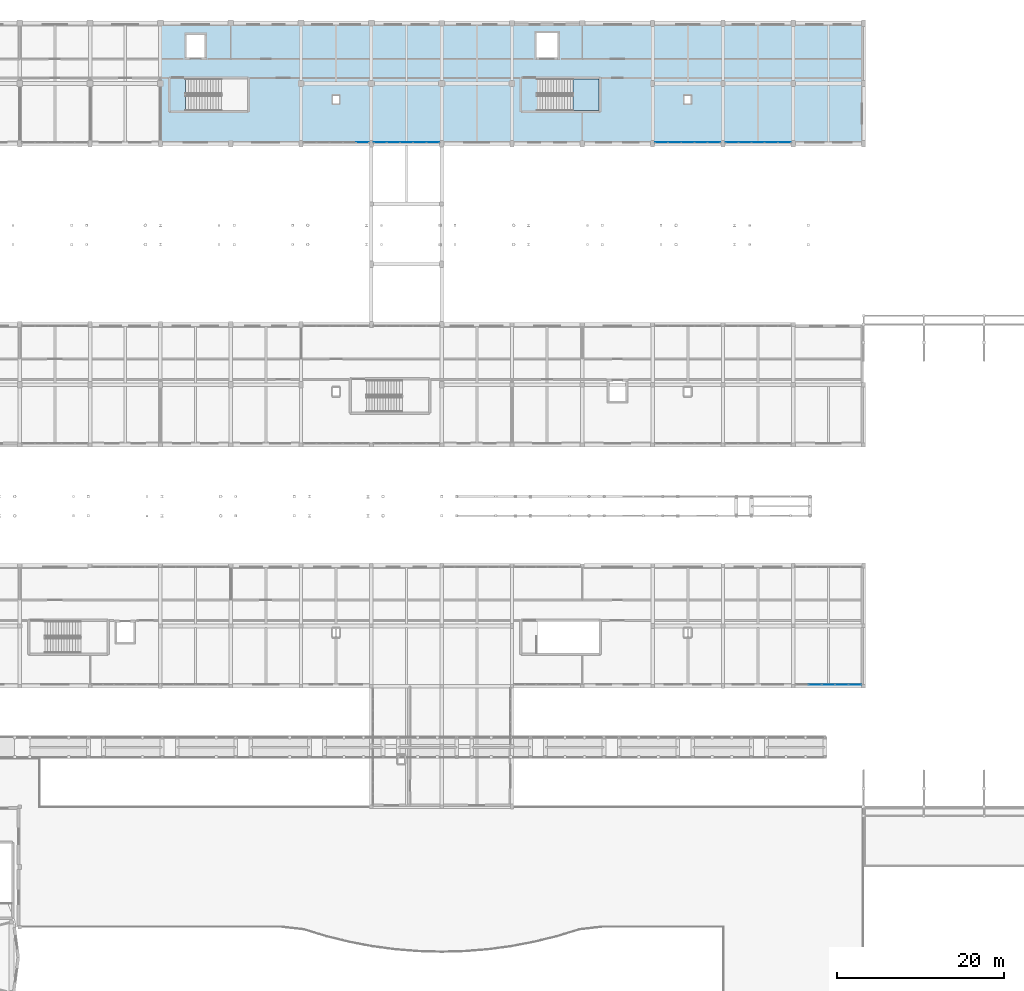
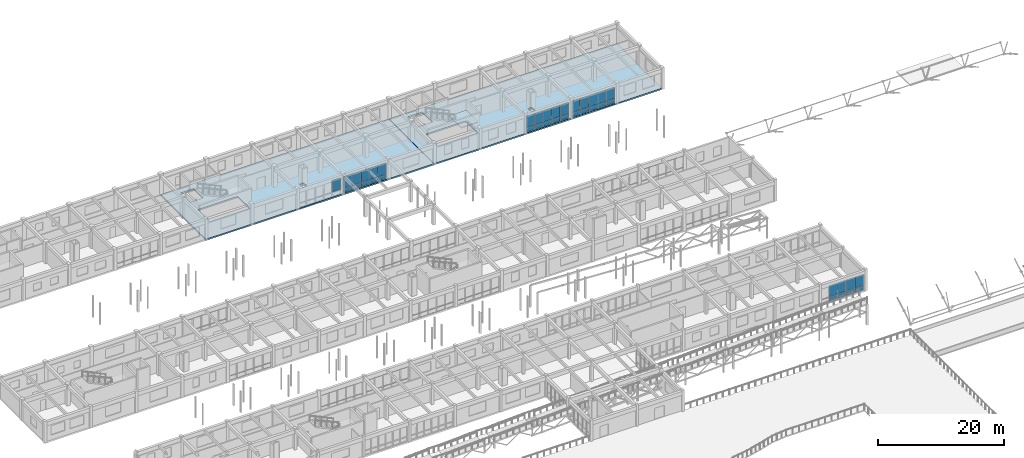
# One storey, part 62 of 90: 39 plates, 3 slabs, 6 elements without a shape of their own.
"""IFC4 building model written with IfcOpenShell, lengths in metres."""

from ifc_helpers import new_model, si_unit, direction, frame, origin, origin_2d, place, context, subcontext, project, spatial, polyline, rectangle, outline, extrude, material, layer, layer_set, type_object, element, aggregate, save


model = new_model("IFC4")

# Units and contexts
model_context = context("Model", 3, precision=1e-05, world=origin(), true_north=direction((0.0, 1.0)))
body_context = subcontext(model_context, "Body", "Model", "MODEL_VIEW")
ifc_project = project(units=[si_unit("LENGTHUNIT", "METRE"), si_unit("AREAUNIT", "SQUARE_METRE"), si_unit("VOLUMEUNIT", "CUBIC_METRE"), si_unit("PLANEANGLEUNIT", "RADIAN"), si_unit("MASSUNIT", "GRAM", prefix="KILO")], contexts=[model_context])

# Site, building, storey
site_placement = place(None, origin())
site = spatial("IfcSite", under=ifc_project, at=site_placement, CompositionType="ELEMENT")
building_placement = place(site_placement, origin())
building = spatial("IfcBuilding", under=site, at=building_placement, Name="Malvenik Polytechnic", CompositionType="ELEMENT")
storey_placement = place(building_placement, frame((0.0, 0.0, 9.300048828125)))
storey = spatial("IfcBuildingStorey", under=building, at=storey_placement, Name="L02", CompositionType="ELEMENT", Elevation=9.300048828125)

# Curtain wall, plates
ifc_material_1 = material(Name="Anodised aluminium 6060-T6", Category="aluminium")
curtain_wall_type = type_object("IfcCurtainWallType", Name="ARC-CW-CW-03", PredefinedType="NOTDEFINED", material=ifc_material_1)
curtain_wall_1_placement = place(storey_placement, origin())
curtain_wall_1 = element("IfcCurtainWall", 1, at=curtain_wall_1_placement, inside=storey, type_object=curtain_wall_type, Name="Unitised Curtain Wall CW-03 L02 #144", PredefinedType="NOTDEFINED")
ifc_material_2 = material(Name="Triple solar-control glazing 8-14-6-14-8", Category="glass")
ifc_layer_1 = layer(ifc_material_2, 0.035888671875)
ifc_layer_set_1 = layer_set([ifc_layer_1], Name="Triple solar-control glazing 8-14-6-14-8")
plate_type_1 = type_object("IfcPlateType", Name="ARC-CWP-CP-GLZ36", PredefinedType="CURTAIN_PANEL", material=ifc_layer_set_1)
plate_1_placement = place(storey_placement, frame((133.36669921875, 50.570068359375, 0.929931640625), z_axis=(0.0, 0.0, 1.0), x_axis=(-1.0, 0.0, 0.0)))
plate_1 = element("IfcPlate", 2, at=plate_1_placement, type_object=plate_type_1, Name="CW-03 panel 1.2", PredefinedType="CURTAIN_PANEL", context=body_context, shape_type="SweptSolid", body=[
    extrude(rectangle(XDim=1.500732421875, YDim=0.028076171875, at=origin_2d()), origin(), (0.0, 0.0, 1.0), 2.18994140625),
])
plate_2_placement = place(storey_placement, frame((131.790771484375, 50.570068359375, 0.929931640625), z_axis=(0.0, 0.0, 1.0), x_axis=(-1.0, 0.0, 0.0)))
plate_2 = element("IfcPlate", 3, at=plate_2_placement, type_object=plate_type_1, Name="CW-03 panel 2.2", PredefinedType="CURTAIN_PANEL", context=body_context, shape_type="SweptSolid", body=[
    extrude(rectangle(XDim=1.53076171875, YDim=0.028076171875, at=origin_2d()), origin(), (0.0, 0.0, 1.0), 2.18994140625),
])
plate_3_placement = place(storey_placement, frame((130.199951171875, 50.570068359375, 0.929931640625), z_axis=(0.0, 0.0, 1.0), x_axis=(-1.0, 0.0, 0.0)))
plate_3 = element("IfcPlate", 4, at=plate_3_placement, type_object=plate_type_1, Name="CW-03 panel 3.2", PredefinedType="CURTAIN_PANEL", context=body_context, shape_type="SweptSolid", body=[
    extrude(rectangle(XDim=1.53076171875, YDim=0.028076171875, at=origin_2d()), origin(), (0.0, 0.0, 1.0), 2.18994140625),
])
plate_4_placement = place(storey_placement, frame((128.609130859375, 50.570068359375, 0.929931640625), z_axis=(0.0, 0.0, 1.0), x_axis=(-1.0, 0.0, 0.0)))
plate_4 = element("IfcPlate", 5, at=plate_4_placement, type_object=plate_type_1, Name="CW-03 panel 4.2", PredefinedType="CURTAIN_PANEL", context=body_context, shape_type="SweptSolid", body=[
    extrude(rectangle(XDim=1.53076171875, YDim=0.028076171875, at=origin_2d()), origin(), (0.0, 0.0, 1.0), 2.18994140625),
])

curtain_wall_2_placement = place(storey_placement, origin())
curtain_wall_2 = element("IfcCurtainWall", 6, at=curtain_wall_2_placement, inside=storey, type_object=curtain_wall_type, Name="Unitised Curtain Wall CW-03 L02 #157", PredefinedType="NOTDEFINED")
plate_5_placement = place(storey_placement, frame((124.946533203125, 115.3701171875, 0.929931640625), z_axis=(0.0, 0.0, 1.0), x_axis=(-1.0, 0.0, 0.0)))
plate_5 = element("IfcPlate", 7, at=plate_5_placement, type_object=plate_type_1, Name="CW-03 panel 1.2", PredefinedType="CURTAIN_PANEL", context=body_context, shape_type="SweptSolid", body=[
    extrude(rectangle(XDim=1.49072265625, YDim=0.028076171875, at=origin_2d()), origin(), (0.0, 0.0, 1.0), 2.18994140625),
])
plate_6_placement = place(storey_placement, frame((123.380859375, 115.3701171875, 0.929931640625), z_axis=(0.0, 0.0, 1.0), x_axis=(-1.0, 0.0, 0.0)))
plate_6 = element("IfcPlate", 8, at=plate_6_placement, type_object=plate_type_1, Name="CW-03 panel 2.2", PredefinedType="CURTAIN_PANEL", context=body_context, shape_type="SweptSolid", body=[
    extrude(rectangle(XDim=1.520751953125, YDim=0.028076171875, at=origin_2d()), origin(), (0.0, 0.0, 1.0), 2.18994140625),
])
plate_7_placement = place(storey_placement, frame((121.800048828125, 115.3701171875, 0.929931640625), z_axis=(0.0, 0.0, 1.0), x_axis=(-1.0, 0.0, 0.0)))
plate_7 = element("IfcPlate", 9, at=plate_7_placement, type_object=plate_type_1, Name="CW-03 panel 3.2", PredefinedType="CURTAIN_PANEL", context=body_context, shape_type="SweptSolid", body=[
    extrude(rectangle(XDim=1.520751953125, YDim=0.028076171875, at=origin_2d()), origin(), (0.0, 0.0, 1.0), 2.18994140625),
])
plate_8_placement = place(storey_placement, frame((120.21923828125, 115.3701171875, 0.929931640625), z_axis=(0.0, 0.0, 1.0), x_axis=(-1.0, 0.0, 0.0)))
plate_8 = element("IfcPlate", 10, at=plate_8_placement, type_object=plate_type_1, Name="CW-03 panel 4.2", PredefinedType="CURTAIN_PANEL", context=body_context, shape_type="SweptSolid", body=[
    extrude(rectangle(XDim=1.520751953125, YDim=0.028076171875, at=origin_2d()), origin(), (0.0, 0.0, 1.0), 2.18994140625),
])
plate_9_placement = place(storey_placement, frame((118.6533203125, 115.3701171875, 0.929931640625), z_axis=(0.0, 0.0, 1.0), x_axis=(-1.0, 0.0, 0.0)))
plate_9 = element("IfcPlate", 11, at=plate_9_placement, type_object=plate_type_1, Name="CW-03 panel 5.2", PredefinedType="CURTAIN_PANEL", context=body_context, shape_type="SweptSolid", body=[
    extrude(rectangle(XDim=1.49072265625, YDim=0.028076171875, at=origin_2d()), origin(), (0.0, 0.0, 1.0), 2.18994140625),
])

curtain_wall_3_placement = place(storey_placement, origin())
curtain_wall_3 = element("IfcCurtainWall", 12, at=curtain_wall_3_placement, inside=storey, type_object=curtain_wall_type, Name="Unitised Curtain Wall CW-03 L02 #158", PredefinedType="NOTDEFINED")
plate_10_placement = place(storey_placement, frame((116.546630859375, 115.3701171875, 0.929931640625), z_axis=(0.0, 0.0, 1.0), x_axis=(-1.0, 0.0, 0.0)))
plate_10 = element("IfcPlate", 13, at=plate_10_placement, type_object=plate_type_1, Name="CW-03 panel 1.2", PredefinedType="CURTAIN_PANEL", context=body_context, shape_type="SweptSolid", body=[
    extrude(rectangle(XDim=1.49072265625, YDim=0.028076171875, at=origin_2d()), origin(), (0.0, 0.0, 1.0), 2.18994140625),
])
plate_11_placement = place(storey_placement, frame((114.980712890625, 115.3701171875, 0.929931640625), z_axis=(0.0, 0.0, 1.0), x_axis=(-1.0, 0.0, 0.0)))
plate_11 = element("IfcPlate", 14, at=plate_11_placement, type_object=plate_type_1, Name="CW-03 panel 2.2", PredefinedType="CURTAIN_PANEL", context=body_context, shape_type="SweptSolid", body=[
    extrude(rectangle(XDim=1.520751953125, YDim=0.028076171875, at=origin_2d()), origin(), (0.0, 0.0, 1.0), 2.18994140625),
])
plate_12_placement = place(storey_placement, frame((113.39990234375, 115.3701171875, 0.929931640625), z_axis=(0.0, 0.0, 1.0), x_axis=(-1.0, 0.0, 0.0)))
plate_12 = element("IfcPlate", 15, at=plate_12_placement, type_object=plate_type_1, Name="CW-03 panel 3.2", PredefinedType="CURTAIN_PANEL", context=body_context, shape_type="SweptSolid", body=[
    extrude(rectangle(XDim=1.520751953125, YDim=0.028076171875, at=origin_2d()), origin(), (0.0, 0.0, 1.0), 2.18994140625),
])
plate_13_placement = place(storey_placement, frame((111.819091796875, 115.3701171875, 0.929931640625), z_axis=(0.0, 0.0, 1.0), x_axis=(-1.0, 0.0, 0.0)))
plate_13 = element("IfcPlate", 16, at=plate_13_placement, type_object=plate_type_1, Name="CW-03 panel 4.2", PredefinedType="CURTAIN_PANEL", context=body_context, shape_type="SweptSolid", body=[
    extrude(rectangle(XDim=1.520751953125, YDim=0.028076171875, at=origin_2d()), origin(), (0.0, 0.0, 1.0), 2.18994140625),
])
plate_14_placement = place(storey_placement, frame((110.25341796875, 115.3701171875, 0.929931640625), z_axis=(0.0, 0.0, 1.0), x_axis=(-1.0, 0.0, 0.0)))
plate_14 = element("IfcPlate", 17, at=plate_14_placement, type_object=plate_type_1, Name="CW-03 panel 5.2", PredefinedType="CURTAIN_PANEL", context=body_context, shape_type="SweptSolid", body=[
    extrude(rectangle(XDim=1.49072265625, YDim=0.028076171875, at=origin_2d()), origin(), (0.0, 0.0, 1.0), 2.18994140625),
])

curtain_wall_4_placement = place(storey_placement, origin())
curtain_wall_4 = element("IfcCurtainWall", 18, at=curtain_wall_4_placement, inside=storey, type_object=curtain_wall_type, Name="Unitised Curtain Wall CW-03 L02 #159", PredefinedType="NOTDEFINED")
plate_15_placement = place(storey_placement, frame((82.946533203125, 115.3701171875, 0.929931640625), z_axis=(0.0, 0.0, 1.0), x_axis=(-1.0, 0.0, 0.0)))
plate_15 = element("IfcPlate", 19, at=plate_15_placement, type_object=plate_type_1, Name="CW-03 panel 1.2", PredefinedType="CURTAIN_PANEL", context=body_context, shape_type="SweptSolid", body=[
    extrude(rectangle(XDim=1.49072265625, YDim=0.028076171875, at=origin_2d()), origin(), (0.0, 0.0, 1.0), 2.18994140625),
])
plate_16_placement = place(storey_placement, frame((81.380859375, 115.3701171875, 0.929931640625), z_axis=(0.0, 0.0, 1.0), x_axis=(-1.0, 0.0, 0.0)))
plate_16 = element("IfcPlate", 20, at=plate_16_placement, type_object=plate_type_1, Name="CW-03 panel 2.2", PredefinedType="CURTAIN_PANEL", context=body_context, shape_type="SweptSolid", body=[
    extrude(rectangle(XDim=1.520751953125, YDim=0.028076171875, at=origin_2d()), origin(), (0.0, 0.0, 1.0), 2.18994140625),
])
plate_17_placement = place(storey_placement, frame((79.800048828125, 115.3701171875, 0.929931640625), z_axis=(0.0, 0.0, 1.0), x_axis=(-1.0, 0.0, 0.0)))
plate_17 = element("IfcPlate", 21, at=plate_17_placement, type_object=plate_type_1, Name="CW-03 panel 3.2", PredefinedType="CURTAIN_PANEL", context=body_context, shape_type="SweptSolid", body=[
    extrude(rectangle(XDim=1.520751953125, YDim=0.028076171875, at=origin_2d()), origin(), (0.0, 0.0, 1.0), 2.18994140625),
])
plate_18_placement = place(storey_placement, frame((78.21923828125, 115.3701171875, 0.929931640625), z_axis=(0.0, 0.0, 1.0), x_axis=(-1.0, 0.0, 0.0)))
plate_18 = element("IfcPlate", 22, at=plate_18_placement, type_object=plate_type_1, Name="CW-03 panel 4.2", PredefinedType="CURTAIN_PANEL", context=body_context, shape_type="SweptSolid", body=[
    extrude(rectangle(XDim=1.520751953125, YDim=0.028076171875, at=origin_2d()), origin(), (0.0, 0.0, 1.0), 2.18994140625),
])
plate_19_placement = place(storey_placement, frame((76.6533203125, 115.3701171875, 0.929931640625), z_axis=(0.0, 0.0, 1.0), x_axis=(-1.0, 0.0, 0.0)))
plate_19 = element("IfcPlate", 23, at=plate_19_placement, type_object=plate_type_1, Name="CW-03 panel 5.2", PredefinedType="CURTAIN_PANEL", context=body_context, shape_type="SweptSolid", body=[
    extrude(rectangle(XDim=1.49072265625, YDim=0.028076171875, at=origin_2d()), origin(), (0.0, 0.0, 1.0), 2.18994140625),
])

# Curtain wall, plate
curtain_wall_5_placement = place(storey_placement, origin())
curtain_wall_5 = element("IfcCurtainWall", 24, at=curtain_wall_5_placement, inside=storey, type_object=curtain_wall_type, Name="Unitised Curtain Wall CW-03 L02 #160", PredefinedType="NOTDEFINED")
plate_20_placement = place(storey_placement, frame((74.546630859375, 115.3701171875, 0.929931640625), z_axis=(0.0, 0.0, 1.0), x_axis=(-1.0, 0.0, 0.0)))
plate_20 = element("IfcPlate", 25, at=plate_20_placement, type_object=plate_type_1, Name="CW-03 panel 1.2", PredefinedType="CURTAIN_PANEL", context=body_context, shape_type="SweptSolid", body=[
    extrude(rectangle(XDim=1.49072265625, YDim=0.028076171875, at=origin_2d()), origin(), (0.0, 0.0, 1.0), 2.18994140625),
])
aggregate(curtain_wall_5, [plate_20])

# Plate
ifc_material_3 = material(Name="Insulated aluminium spandrel cassette 42mm", Category="aluminium")
ifc_layer_2 = layer(ifc_material_3, 0.0419921875)
ifc_layer_set_2 = layer_set([ifc_layer_2], Name="Insulated aluminium spandrel cassette 42mm")
plate_type_2 = type_object("IfcPlateType", Name="ARC-CWP-CP-SPN42", PredefinedType="CURTAIN_PANEL", material=ifc_layer_set_2)
plate_21_placement = place(storey_placement, frame((133.36669921875, 50.570068359375, 0.059814453125), z_axis=(0.0, 0.0, 1.0), x_axis=(-1.0, 0.0, 0.0)))
plate_21 = element("IfcPlate", 26, at=plate_21_placement, type_object=plate_type_2, Name="CW-03 panel 1.1", PredefinedType="CURTAIN_PANEL", context=body_context, shape_type="SweptSolid", body=[
    extrude(rectangle(XDim=1.500732421875, YDim=0.028076171875, at=origin_2d()), origin(), (0.0, 0.0, 1.0), 0.81005859375),
])

plate_22_placement = place(storey_placement, frame((131.790771484375, 50.570068359375, 0.059814453125), z_axis=(0.0, 0.0, 1.0), x_axis=(-1.0, 0.0, 0.0)))
plate_22 = element("IfcPlate", 27, at=plate_22_placement, type_object=plate_type_2, Name="CW-03 panel 2.1", PredefinedType="CURTAIN_PANEL", context=body_context, shape_type="SweptSolid", body=[
    extrude(rectangle(XDim=1.53076171875, YDim=0.028076171875, at=origin_2d()), origin(), (0.0, 0.0, 1.0), 0.81005859375),
])

plate_23_placement = place(storey_placement, frame((130.199951171875, 50.570068359375, 0.059814453125), z_axis=(0.0, 0.0, 1.0), x_axis=(-1.0, 0.0, 0.0)))
plate_23 = element("IfcPlate", 28, at=plate_23_placement, type_object=plate_type_2, Name="CW-03 panel 3.1", PredefinedType="CURTAIN_PANEL", context=body_context, shape_type="SweptSolid", body=[
    extrude(rectangle(XDim=1.53076171875, YDim=0.028076171875, at=origin_2d()), origin(), (0.0, 0.0, 1.0), 0.81005859375),
])

plate_24_placement = place(storey_placement, frame((128.609130859375, 50.570068359375, 0.059814453125), z_axis=(0.0, 0.0, 1.0), x_axis=(-1.0, 0.0, 0.0)))
plate_24 = element("IfcPlate", 29, at=plate_24_placement, type_object=plate_type_2, Name="CW-03 panel 4.1", PredefinedType="CURTAIN_PANEL", context=body_context, shape_type="SweptSolid", body=[
    extrude(rectangle(XDim=1.53076171875, YDim=0.028076171875, at=origin_2d()), origin(), (0.0, 0.0, 1.0), 0.81005859375),
])

aggregate(curtain_wall_1, [plate_21, plate_1, plate_22, plate_2, plate_23, plate_3, plate_24, plate_4])

plate_25_placement = place(storey_placement, frame((124.946533203125, 115.3701171875, 0.059814453125), z_axis=(0.0, 0.0, 1.0), x_axis=(-1.0, 0.0, 0.0)))
plate_25 = element("IfcPlate", 30, at=plate_25_placement, type_object=plate_type_2, Name="CW-03 panel 1.1", PredefinedType="CURTAIN_PANEL", context=body_context, shape_type="SweptSolid", body=[
    extrude(rectangle(XDim=1.49072265625, YDim=0.028076171875, at=origin_2d()), origin(), (0.0, 0.0, 1.0), 0.81005859375),
])

plate_26_placement = place(storey_placement, frame((123.380859375, 115.3701171875, 0.059814453125), z_axis=(0.0, 0.0, 1.0), x_axis=(-1.0, 0.0, 0.0)))
plate_26 = element("IfcPlate", 31, at=plate_26_placement, type_object=plate_type_2, Name="CW-03 panel 2.1", PredefinedType="CURTAIN_PANEL", context=body_context, shape_type="SweptSolid", body=[
    extrude(rectangle(XDim=1.520751953125, YDim=0.028076171875, at=origin_2d()), origin(), (0.0, 0.0, 1.0), 0.81005859375),
])

plate_27_placement = place(storey_placement, frame((121.800048828125, 115.3701171875, 0.059814453125), z_axis=(0.0, 0.0, 1.0), x_axis=(-1.0, 0.0, 0.0)))
plate_27 = element("IfcPlate", 32, at=plate_27_placement, type_object=plate_type_2, Name="CW-03 panel 3.1", PredefinedType="CURTAIN_PANEL", context=body_context, shape_type="SweptSolid", body=[
    extrude(rectangle(XDim=1.520751953125, YDim=0.028076171875, at=origin_2d()), origin(), (0.0, 0.0, 1.0), 0.81005859375),
])

plate_28_placement = place(storey_placement, frame((120.21923828125, 115.3701171875, 0.059814453125), z_axis=(0.0, 0.0, 1.0), x_axis=(-1.0, 0.0, 0.0)))
plate_28 = element("IfcPlate", 33, at=plate_28_placement, type_object=plate_type_2, Name="CW-03 panel 4.1", PredefinedType="CURTAIN_PANEL", context=body_context, shape_type="SweptSolid", body=[
    extrude(rectangle(XDim=1.520751953125, YDim=0.028076171875, at=origin_2d()), origin(), (0.0, 0.0, 1.0), 0.81005859375),
])

plate_29_placement = place(storey_placement, frame((118.6533203125, 115.3701171875, 0.059814453125), z_axis=(0.0, 0.0, 1.0), x_axis=(-1.0, 0.0, 0.0)))
plate_29 = element("IfcPlate", 34, at=plate_29_placement, type_object=plate_type_2, Name="CW-03 panel 5.1", PredefinedType="CURTAIN_PANEL", context=body_context, shape_type="SweptSolid", body=[
    extrude(rectangle(XDim=1.49072265625, YDim=0.028076171875, at=origin_2d()), origin(), (0.0, 0.0, 1.0), 0.81005859375),
])

aggregate(curtain_wall_2, [plate_25, plate_5, plate_26, plate_6, plate_27, plate_7, plate_28, plate_8, plate_29, plate_9])

plate_30_placement = place(storey_placement, frame((116.546630859375, 115.3701171875, 0.059814453125), z_axis=(0.0, 0.0, 1.0), x_axis=(-1.0, 0.0, 0.0)))
plate_30 = element("IfcPlate", 35, at=plate_30_placement, type_object=plate_type_2, Name="CW-03 panel 1.1", PredefinedType="CURTAIN_PANEL", context=body_context, shape_type="SweptSolid", body=[
    extrude(rectangle(XDim=1.49072265625, YDim=0.028076171875, at=origin_2d()), origin(), (0.0, 0.0, 1.0), 0.81005859375),
])

plate_31_placement = place(storey_placement, frame((114.980712890625, 115.3701171875, 0.059814453125), z_axis=(0.0, 0.0, 1.0), x_axis=(-1.0, 0.0, 0.0)))
plate_31 = element("IfcPlate", 36, at=plate_31_placement, type_object=plate_type_2, Name="CW-03 panel 2.1", PredefinedType="CURTAIN_PANEL", context=body_context, shape_type="SweptSolid", body=[
    extrude(rectangle(XDim=1.520751953125, YDim=0.028076171875, at=origin_2d()), origin(), (0.0, 0.0, 1.0), 0.81005859375),
])

plate_32_placement = place(storey_placement, frame((113.39990234375, 115.3701171875, 0.059814453125), z_axis=(0.0, 0.0, 1.0), x_axis=(-1.0, 0.0, 0.0)))
plate_32 = element("IfcPlate", 37, at=plate_32_placement, type_object=plate_type_2, Name="CW-03 panel 3.1", PredefinedType="CURTAIN_PANEL", context=body_context, shape_type="SweptSolid", body=[
    extrude(rectangle(XDim=1.520751953125, YDim=0.028076171875, at=origin_2d()), origin(), (0.0, 0.0, 1.0), 0.81005859375),
])

plate_33_placement = place(storey_placement, frame((111.819091796875, 115.3701171875, 0.059814453125), z_axis=(0.0, 0.0, 1.0), x_axis=(-1.0, 0.0, 0.0)))
plate_33 = element("IfcPlate", 38, at=plate_33_placement, type_object=plate_type_2, Name="CW-03 panel 4.1", PredefinedType="CURTAIN_PANEL", context=body_context, shape_type="SweptSolid", body=[
    extrude(rectangle(XDim=1.520751953125, YDim=0.028076171875, at=origin_2d()), origin(), (0.0, 0.0, 1.0), 0.81005859375),
])

plate_34_placement = place(storey_placement, frame((110.25341796875, 115.3701171875, 0.059814453125), z_axis=(0.0, 0.0, 1.0), x_axis=(-1.0, 0.0, 0.0)))
plate_34 = element("IfcPlate", 39, at=plate_34_placement, type_object=plate_type_2, Name="CW-03 panel 5.1", PredefinedType="CURTAIN_PANEL", context=body_context, shape_type="SweptSolid", body=[
    extrude(rectangle(XDim=1.49072265625, YDim=0.028076171875, at=origin_2d()), origin(), (0.0, 0.0, 1.0), 0.81005859375),
])

aggregate(curtain_wall_3, [plate_30, plate_10, plate_31, plate_11, plate_32, plate_12, plate_33, plate_13, plate_34, plate_14])

plate_35_placement = place(storey_placement, frame((82.946533203125, 115.3701171875, 0.059814453125), z_axis=(0.0, 0.0, 1.0), x_axis=(-1.0, 0.0, 0.0)))
plate_35 = element("IfcPlate", 40, at=plate_35_placement, type_object=plate_type_2, Name="CW-03 panel 1.1", PredefinedType="CURTAIN_PANEL", context=body_context, shape_type="SweptSolid", body=[
    extrude(rectangle(XDim=1.49072265625, YDim=0.028076171875, at=origin_2d()), origin(), (0.0, 0.0, 1.0), 0.81005859375),
])

plate_36_placement = place(storey_placement, frame((81.380859375, 115.3701171875, 0.059814453125), z_axis=(0.0, 0.0, 1.0), x_axis=(-1.0, 0.0, 0.0)))
plate_36 = element("IfcPlate", 41, at=plate_36_placement, type_object=plate_type_2, Name="CW-03 panel 2.1", PredefinedType="CURTAIN_PANEL", context=body_context, shape_type="SweptSolid", body=[
    extrude(rectangle(XDim=1.520751953125, YDim=0.028076171875, at=origin_2d()), origin(), (0.0, 0.0, 1.0), 0.81005859375),
])

plate_37_placement = place(storey_placement, frame((79.800048828125, 115.3701171875, 0.059814453125), z_axis=(0.0, 0.0, 1.0), x_axis=(-1.0, 0.0, 0.0)))
plate_37 = element("IfcPlate", 42, at=plate_37_placement, type_object=plate_type_2, Name="CW-03 panel 3.1", PredefinedType="CURTAIN_PANEL", context=body_context, shape_type="SweptSolid", body=[
    extrude(rectangle(XDim=1.520751953125, YDim=0.028076171875, at=origin_2d()), origin(), (0.0, 0.0, 1.0), 0.81005859375),
])

plate_38_placement = place(storey_placement, frame((78.21923828125, 115.3701171875, 0.059814453125), z_axis=(0.0, 0.0, 1.0), x_axis=(-1.0, 0.0, 0.0)))
plate_38 = element("IfcPlate", 43, at=plate_38_placement, type_object=plate_type_2, Name="CW-03 panel 4.1", PredefinedType="CURTAIN_PANEL", context=body_context, shape_type="SweptSolid", body=[
    extrude(rectangle(XDim=1.520751953125, YDim=0.028076171875, at=origin_2d()), origin(), (0.0, 0.0, 1.0), 0.81005859375),
])

plate_39_placement = place(storey_placement, frame((76.6533203125, 115.3701171875, 0.059814453125), z_axis=(0.0, 0.0, 1.0), x_axis=(-1.0, 0.0, 0.0)))
plate_39 = element("IfcPlate", 44, at=plate_39_placement, type_object=plate_type_2, Name="CW-03 panel 5.1", PredefinedType="CURTAIN_PANEL", context=body_context, shape_type="SweptSolid", body=[
    extrude(rectangle(XDim=1.49072265625, YDim=0.028076171875, at=origin_2d()), origin(), (0.0, 0.0, 1.0), 0.81005859375),
])

aggregate(curtain_wall_4, [plate_35, plate_15, plate_36, plate_16, plate_37, plate_17, plate_38, plate_18, plate_39, plate_19])

# Stair, slab
ifc_material_4 = material(Name="Concrete C35/45", Category="concrete")
stair_type = type_object("IfcStairType", Name="ARC-STR-ST-03", PredefinedType="HALF_TURN_STAIR", material=ifc_material_4)
stair_placement = place(storey_placement, origin())
stair = element("IfcStair", 45, at=stair_placement, inside=storey, type_object=stair_type, Name="L02 Escape Stair ST-03", PredefinedType="HALF_TURN_STAIR")
ifc_layer_3 = layer(ifc_material_4, 0.199951171875)
ifc_layer_set_3 = layer_set([ifc_layer_3], Name="Concrete C35/45")
slab_type_1 = type_object("IfcSlabType", Name="ARC-SLB-STLND", PredefinedType="LANDING", material=ifc_layer_set_3)
slab_1_placement = place(storey_placement, frame((0.0, 0.0, 1.89990234375)))
slab_1 = element("IfcSlab", 46, at=slab_1_placement, type_object=slab_type_1, Name="ST-03 landing 1", PredefinedType="LANDING", context=body_context, shape_type="SweptSolid", body=[
    extrude(outline(polyline([(99.68994140625, 119.14990234375), (102.800048828125, 119.14990234375), (102.800048828125, 122.949951171875), (99.68994140625, 122.949951171875), (99.68994140625, 119.14990234375)])), origin(), (0.0, 0.0, 1.0), 0.199951171875),
])
aggregate(stair, [slab_1])

# Slabs
ifc_layer_4 = layer(ifc_material_4, 0.280029296875)
ifc_layer_set_4 = layer_set([ifc_layer_4], Name="Concrete C35/45")
slab_type_2 = type_object("IfcSlabType", Name="STR-SLB-FLR-280", PredefinedType="FLOOR", material=ifc_layer_set_4)
slab_2_placement = place(storey_placement, frame((0.0, 0.0, -0.280029296875)))
element("IfcSlab", 47, at=slab_2_placement, inside=storey, type_object=slab_type_2, Name="Structural Slab L02-V1 #68", PredefinedType="FLOOR", context=body_context, shape_type="SweptSolid", body=[
    extrude(outline(polyline([(92.3798828125, 129.60009765625), (92.3798828125, 115.199951171875), (50.419921875, 115.199951171875), (50.419921875, 129.60009765625), (92.3798828125, 129.60009765625)]), holes=[polyline([(60.800048828125, 122.949951171875), (53.41796875, 122.949951171875), (53.41796875, 119.14990234375), (60.800048828125, 119.14990234375), (60.800048828125, 122.949951171875)]), polyline([(55.800048828125, 128.35009765625), (53.39990234375, 128.35009765625), (53.39990234375, 125.35009765625), (55.800048828125, 125.35009765625), (55.800048828125, 128.35009765625)]), polyline([(71.75, 120.949951171875), (71.0, 120.949951171875), (71.0, 120.0), (71.75, 120.0), (71.75, 120.949951171875)])]), origin(), (0.0, 0.0, 1.0), 0.280029296875),
])
slab_3_placement = place(storey_placement, frame((0.0, 0.0, -0.280029296875)))
element("IfcSlab", 48, at=slab_3_placement, inside=storey, type_object=slab_type_2, Name="Structural Slab L02-V1 #69", PredefinedType="FLOOR", context=body_context, shape_type="SweptSolid", body=[
    extrude(outline(polyline([(134.3798828125, 129.60009765625), (134.3798828125, 115.199951171875), (92.419921875, 115.199951171875), (92.419921875, 129.60009765625), (134.3798828125, 129.60009765625)]), holes=[polyline([(113.0, 120.949951171875), (113.0, 120.0), (113.75, 120.0), (113.75, 120.949951171875), (113.0, 120.949951171875)]), polyline([(102.800048828125, 119.14990234375), (102.800048828125, 122.949951171875), (95.41796875, 122.949951171875), (95.41796875, 119.14990234375), (102.800048828125, 119.14990234375)]), polyline([(98.0, 128.550048828125), (95.199951171875, 128.550048828125), (95.199951171875, 125.35009765625), (98.0, 125.35009765625), (98.0, 128.550048828125)])]), origin(), (0.0, 0.0, 1.0), 0.280029296875),
])

save(model, "model.ifc")
